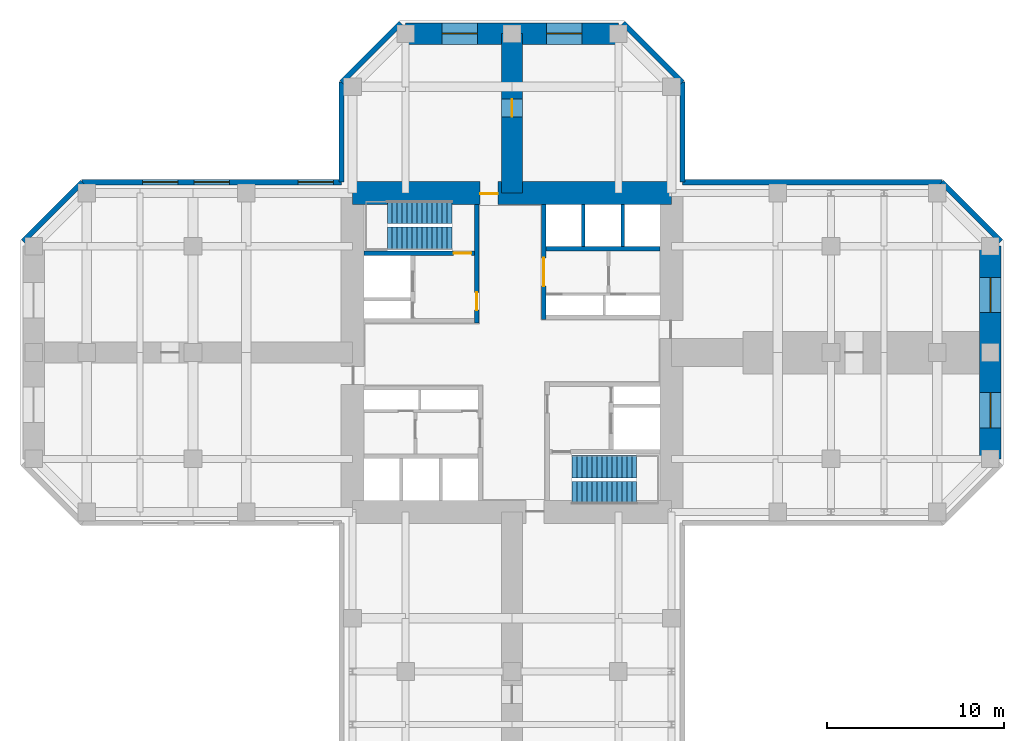
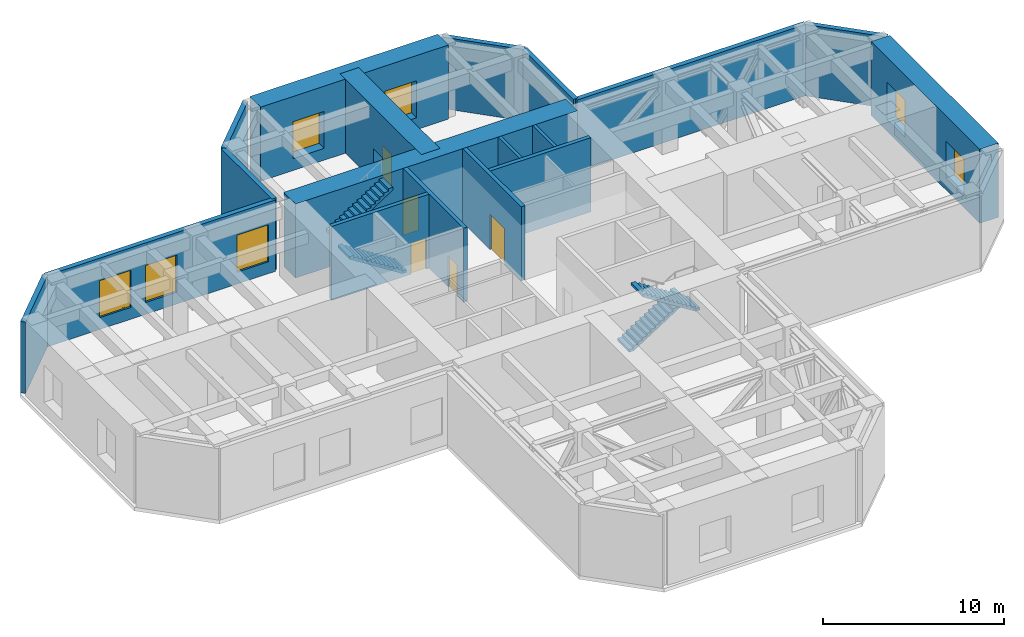
# One storey, part 7 of 8: 18 walls, 7 windows, 5 doors, 4 stair flights, 12 openings, 2 elements without a shape of their own.
"""IFC4 building model written with IfcOpenShell, lengths in metres."""

from ifc_helpers import new_model, si_unit, direction, frame, frame_2d, origin, place, context, subcontext, project, spatial, polyline, rectangle, hollow_rectangle, outline, extrude, material, layer, layer_set, constituent, constituent_set, type_object, element, fill, aggregate, save


model = new_model("IFC4")

# Units and contexts
model_context = context("Model", 3, precision=1e-05, world=origin(), true_north=direction((0.0, 1.0)))
body_context = subcontext(model_context, "Body", "Model", "MODEL_VIEW")
ifc_project = project(units=[si_unit("LENGTHUNIT", "METRE"), si_unit("AREAUNIT", "SQUARE_METRE"), si_unit("VOLUMEUNIT", "CUBIC_METRE"), si_unit("PLANEANGLEUNIT", "RADIAN"), si_unit("MASSUNIT", "GRAM", prefix="KILO")], contexts=[model_context])

# Site, building, storey
site_placement = place(None, origin())
site = spatial("IfcSite", under=ifc_project, at=site_placement, CompositionType="ELEMENT")
building_placement = place(site_placement, origin())
building = spatial("IfcBuilding", under=site, at=building_placement, Name="Torre Cruceta", CompositionType="ELEMENT")
storey_placement = place(building_placement, frame((0.0, 0.0, 164.5)))
storey = spatial("IfcBuildingStorey", under=building, at=storey_placement, Name="L40", CompositionType="ELEMENT", Elevation=164.5)

# Wall, opening, door
ifc_material_1 = material(Name="Concrete G60 (fck 60 MPa)", Category="concrete")
ifc_layer_1 = layer(ifc_material_1, 0.25)
ifc_layer_set_1 = layer_set([ifc_layer_1], Name="Concrete G60 (fck 60 MPa)")
wall_type_1 = type_object("IfcWallType", Name="CORE INNER WALL 250 G60", PredefinedType="SHEAR", material=ifc_layer_set_1)
wall_1_placement = place(storey_placement, frame((1.800048828125, 1.875, 0.0), z_axis=(0.0, 0.0, 1.0), x_axis=(0.0, 1.0, 0.0)))
wall_1 = element("IfcWall", 1, at=wall_1_placement, inside=storey, type_object=wall_type_1, Name="CW4 L40 NE-CU", PredefinedType="SHEAR", context=body_context, shape_type="SweptSolid", body=[
    extrude(rectangle(XDim=6.47509765625, YDim=0.25, at=frame_2d((3.237548828125, 0.0))), origin(), (0.0, 0.0, 1.0), 5.0),
])
opening_1_placement = place(wall_1_placement, frame((1.875, 0.0, 0.0)))
opening_1 = element("IfcOpeningElement", 2, at=opening_1_placement, cuts=wall_1, Name="Opening D15", PredefinedType="OPENING", context=body_context, shape_type="SweptSolid", body=[
    extrude(rectangle(XDim=1.60009765625, YDim=2.39990234375, at=frame_2d((0.800048828125, 1.199951171875))), frame((0.0, 0.135009765625, 0.0), z_axis=(0.0, -1.0, 0.0), x_axis=(1.0, 0.0, 0.0)), (0.0, 0.0, 1.0), 0.27001953125),
])
ifc_material_2 = material(Name="Steel DX51D", Category="steel")
ifc_constituent_1 = constituent(ifc_material_2, Name="Leaf and frame")
ifc_material_3 = material(Name="Polyester powder coating", Category="paint")
ifc_constituent_2 = constituent(ifc_material_3, Name="Finish")
ifc_constituent_set_1 = constituent_set(constituents=[ifc_constituent_1, ifc_constituent_2], Name="Steel fire door")
door_type_1 = type_object("IfcDoorType", Name="CORE ROOM DOUBLE DOOR 1600X2400", OperationType="DOUBLE_DOOR_SINGLE_SWING", PredefinedType="DOOR", material=ifc_constituent_set_1)
door_1_placement = place(opening_1_placement, frame((1.60009765625, 0.0, 0.0), z_axis=(0.0, 0.0, 1.0), x_axis=(-1.0, 0.0, 0.0)))
door_1 = element("IfcDoor", 3, at=door_1_placement, inside=storey, type_object=door_type_1, Name="D15 L40 NE-LOBBY", OperationType="DOUBLE_DOOR_SINGLE_SWING", OverallHeight=2.39990234375, OverallWidth=1.60009765625, PredefinedType="DOOR", context=body_context, shape_type="SweptSolid", body=[
    extrude(rectangle(XDim=1.60009765625, YDim=2.39990234375, at=frame_2d((0.800048828125, 1.199951171875))), frame((0.0, 0.025146484375, 0.0), z_axis=(0.0, -1.0, 0.0), x_axis=(1.0, 0.0, 0.0)), (0.0, 0.0, 1.0), 0.050048828125),
])
fill(opening_1, door_1)

# Wall
wall_2_placement = place(storey_placement, frame((1.925048828125, 5.85009765625, 0.0), z_axis=(0.0, 0.0, 1.0), x_axis=(1.0, 0.0, 0.0)))
element("IfcWall", 4, at=wall_2_placement, inside=storey, type_object=wall_type_1, Name="CW4 L40 NE-LV", PredefinedType="SHEAR", context=body_context, shape_type="SweptSolid", body=[
    extrude(rectangle(XDim=6.425048828125, YDim=0.25, at=frame_2d((3.21240234375, 0.0))), origin(), (0.0, 0.0, 1.0), 5.0),
])

# Wall, opening, door
wall_3_placement = place(storey_placement, frame((-2.0, 1.675048828125, 0.0), z_axis=(0.0, 0.0, 1.0), x_axis=(0.0, 1.0, 0.0)))
wall_3 = element("IfcWall", 5, at=wall_3_placement, inside=storey, type_object=wall_type_1, Name="CW4 L40 NW-CU", PredefinedType="SHEAR", context=body_context, shape_type="SweptSolid", body=[
    extrude(rectangle(XDim=6.675048828125, YDim=0.25, at=frame_2d((3.33740234375, 0.0))), origin(), (0.0, 0.0, 1.0), 5.0),
])
opening_2_placement = place(wall_3_placement, frame((0.72509765625, 0.0, 0.0)))
opening_2 = element("IfcOpeningElement", 6, at=opening_2_placement, cuts=wall_3, Name="Opening D3", PredefinedType="OPENING", context=body_context, shape_type="SweptSolid", body=[
    extrude(rectangle(XDim=1.0, YDim=2.10009765625, at=frame_2d((0.5, 1.050048828125))), frame((0.0, 0.135009765625, 0.0), z_axis=(0.0, -1.0, 0.0), x_axis=(1.0, 0.0, 0.0)), (0.0, 0.0, 1.0), 0.27001953125),
])
ifc_material_4 = material(Name="Steel DX51D", Category="steel")
ifc_constituent_3 = constituent(ifc_material_4, Name="Leaf and frame")
ifc_material_5 = material(Name="Polyester powder coating", Category="paint")
ifc_constituent_4 = constituent(ifc_material_5, Name="Finish")
ifc_constituent_set_2 = constituent_set(constituents=[ifc_constituent_3, ifc_constituent_4], Name="Steel fire door")
door_type_2 = type_object("IfcDoorType", Name="FIRE DOOR 1000X2100", OperationType="SINGLE_SWING_LEFT", PredefinedType="DOOR", material=ifc_constituent_set_2)
door_2_placement = place(opening_2_placement, origin())
door_2 = element("IfcDoor", 7, at=door_2_placement, inside=storey, type_object=door_type_2, Name="D3 L40 NW-LOBBY", OperationType="SINGLE_SWING_LEFT", OverallHeight=2.10009765625, OverallWidth=1.0, PredefinedType="DOOR", context=body_context, shape_type="SweptSolid", body=[
    extrude(rectangle(XDim=1.0, YDim=2.10009765625, at=frame_2d((0.5, 1.050048828125))), frame((0.0, 0.02490234375, 0.0), z_axis=(0.0, -1.0, 0.0), x_axis=(1.0, 0.0, 0.0)), (0.0, 0.0, 1.0), 0.050048828125),
])
fill(opening_2, door_2)

wall_4_placement = place(storey_placement, frame((-2.125, 5.60009765625, 0.0), z_axis=(0.0, 0.0, 1.0), x_axis=(-1.0, 0.0, 0.0)))
wall_4 = element("IfcWall", 8, at=wall_4_placement, inside=storey, type_object=wall_type_1, Name="CW4 L40 NW-SV", PredefinedType="SHEAR", context=body_context, shape_type="SweptSolid", body=[
    extrude(rectangle(XDim=6.22509765625, YDim=0.25, at=frame_2d((3.112548828125, 0.0))), origin(), (0.0, 0.0, 1.0), 5.0),
])
opening_3_placement = place(wall_4_placement, frame((0.175048828125, 0.0, 0.0)))
opening_3 = element("IfcOpeningElement", 9, at=opening_3_placement, cuts=wall_4, Name="Opening D3", PredefinedType="OPENING", context=body_context, shape_type="SweptSolid", body=[
    extrude(rectangle(XDim=1.0, YDim=2.10009765625, at=frame_2d((0.5, 1.050048828125))), frame((0.0, 0.135009765625, 0.0), z_axis=(0.0, -1.0, 0.0), x_axis=(1.0, 0.0, 0.0)), (0.0, 0.0, 1.0), 0.27001953125),
])
door_3_placement = place(opening_3_placement, frame((1.0, 0.0, 0.0), z_axis=(0.0, 0.0, 1.0), x_axis=(-1.0, 0.0, 0.0)))
door_3 = element("IfcDoor", 10, at=door_3_placement, inside=storey, type_object=door_type_2, Name="D3 L40 NW-STAIR", OperationType="SINGLE_SWING_RIGHT", OverallHeight=2.10009765625, OverallWidth=1.0, PredefinedType="DOOR", context=body_context, shape_type="SweptSolid", body=[
    extrude(rectangle(XDim=1.0, YDim=2.10009765625, at=frame_2d((0.5, 1.050048828125))), frame((0.0, 0.025146484375, 0.0), z_axis=(0.0, -1.0, 0.0), x_axis=(1.0, 0.0, 0.0)), (0.0, 0.0, 1.0), 0.050048828125),
])
fill(opening_3, door_3)

ifc_material_6 = material(Name="Concrete G60 (fck 60 MPa)", Category="concrete")
ifc_layer_2 = layer(ifc_material_6, 1.300048828125)
ifc_layer_set_2 = layer_set([ifc_layer_2], Name="Concrete G60 (fck 60 MPa)")
wall_type_2 = type_object("IfcWallType", Name="CORE WALL 1300 G60", PredefinedType="SHEAR", material=ifc_layer_set_2)
wall_5_placement = place(storey_placement, frame((9.0, 9.0, 0.0), z_axis=(0.0, 0.0, 1.0), x_axis=(-1.0, 0.0, 0.0)))
wall_5 = element("IfcWall", 11, at=wall_5_placement, inside=storey, type_object=wall_type_2, Name="CW1 L40 CW-N", PredefinedType="SHEAR", context=body_context, shape_type="SweptSolid", body=[
    extrude(rectangle(XDim=18.0, YDim=1.300048828125, at=frame_2d((9.0, 0.0))), origin(), (0.0, 0.0, 1.0), 5.0),
])
opening_4_placement = place(wall_5_placement, frame((9.800048828125, 0.0, 0.0)))
opening_4 = element("IfcOpeningElement", 12, at=opening_4_placement, cuts=wall_5, Name="Opening D4", PredefinedType="OPENING", context=body_context, shape_type="SweptSolid", body=[
    extrude(rectangle(XDim=1.0, YDim=2.39990234375, at=frame_2d((0.5, 1.199951171875))), frame((0.0, 0.659912109375, 0.0), z_axis=(0.0, -1.0, 0.0), x_axis=(1.0, 0.0, 0.0)), (0.0, 0.0, 1.0), 1.320068359375),
])
ifc_material_7 = material(Name="Steel DX51D", Category="steel")
ifc_constituent_5 = constituent(ifc_material_7, Name="Leaf and frame")
ifc_material_8 = material(Name="Polyester powder coating", Category="paint")
ifc_constituent_6 = constituent(ifc_material_8, Name="Finish")
ifc_constituent_set_3 = constituent_set(constituents=[ifc_constituent_5, ifc_constituent_6], Name="Steel fire door")
door_type_3 = type_object("IfcDoorType", Name="CORE ARM DOOR 1000X2400", OperationType="SINGLE_SWING_RIGHT", PredefinedType="DOOR", material=ifc_constituent_set_3)
door_4_placement = place(opening_4_placement, frame((1.0, 0.0, 0.0), z_axis=(0.0, 0.0, 1.0), x_axis=(-1.0, 0.0, 0.0)))
door_4 = element("IfcDoor", 13, at=door_4_placement, inside=storey, type_object=door_type_3, Name="D4 L40 CW-N", OperationType="SINGLE_SWING_RIGHT", OverallHeight=2.39990234375, OverallWidth=1.0, PredefinedType="DOOR", context=body_context, shape_type="SweptSolid", body=[
    extrude(rectangle(XDim=1.0, YDim=2.39990234375, at=frame_2d((0.5, 1.199951171875))), frame((0.0, -0.005126953125, 0.0), z_axis=(0.0, -1.0, 0.0), x_axis=(1.0, 0.0, 0.0)), (0.0, 0.0, 1.0), 0.050048828125),
])
fill(opening_4, door_4)

# Walls
ifc_material_9 = material(Name="Concrete G30 (fck 30 MPa)", Category="concrete")
ifc_layer_3 = layer(ifc_material_9, 0.300048828125)
ifc_layer_set_3 = layer_set([ifc_layer_3], Name="Concrete G30 (fck 30 MPa)")
wall_type_3 = type_object("IfcWallType", Name="EXPOSED CONCRETE FACADE WALL 300", PredefinedType="SOLIDWALL", material=ifc_layer_set_3)
wall_6_placement = place(storey_placement, frame((27.60009765625, 6.27685546875, 0.0), z_axis=(0.0, 0.0, 1.0), x_axis=(-0.707106781187, 0.707106781187, 0.0)))
element("IfcWall", 14, at=wall_6_placement, inside=storey, type_object=wall_type_3, Name="EW1 facade wall L40 E chamfer 03", PredefinedType="SOLIDWALL", context=body_context, shape_type="SweptSolid", body=[
    extrude(rectangle(XDim=4.72802734375, YDim=0.300048828125, at=frame_2d((2.364013671875, 0.0))), origin(), (0.0, 0.0, 1.0), 4.820068359375),
])
wall_7_placement = place(storey_placement, frame((24.2568359375, 9.6201171875, 0.0), z_axis=(0.0, 0.0, 1.0), x_axis=(-1.0, 0.0, 0.0)))
element("IfcWall", 15, at=wall_7_placement, inside=storey, type_object=wall_type_3, Name="EW1 facade wall L40 E side 04", PredefinedType="SOLIDWALL", context=body_context, shape_type="SweptSolid", body=[
    extrude(rectangle(XDim=14.63671875, YDim=0.300048828125, at=frame_2d((7.318359375, 0.0))), origin(), (0.0, 0.0, 1.0), 4.820068359375),
])
wall_8_placement = place(storey_placement, frame((9.6201171875, 9.6201171875, 0.0), z_axis=(0.0, 0.0, 1.0), x_axis=(0.0, 1.0, 0.0)))
element("IfcWall", 16, at=wall_8_placement, inside=storey, type_object=wall_type_3, Name="EW1 facade wall L40 N side 05", PredefinedType="SOLIDWALL", context=body_context, shape_type="SweptSolid", body=[
    extrude(rectangle(XDim=5.63671875, YDim=0.300048828125, at=frame_2d((2.818359375, 0.0))), origin(), (0.0, 0.0, 1.0), 4.820068359375),
])
for number, where, z_axis, x_axis, name in (
    (17, (9.6201171875, 15.2568359375, 0.0), (0.0, 0.0, 1.0), (-0.707106781187, 0.707106781187, 0.0), "EW1 facade wall L40 N chamfer 06"),
    (18, (-6.27685546875, 18.60009765625, 0.0), (0.0, 0.0, 1.0), (-0.707106781187, -0.707106781187, 0.0), "EW1 facade wall L40 N chamfer 08"),
):
    element("IfcWall", number, at=place(storey_placement, frame(where, z_axis=z_axis, x_axis=x_axis)), inside=storey, type_object=wall_type_3, Name=name, PredefinedType="SOLIDWALL", context=body_context, shape_type="SweptSolid", body=[
        extrude(rectangle(XDim=4.72802734375, YDim=0.300048828125, at=frame_2d((2.364013671875, 0.0))), origin(), (0.0, 0.0, 1.0), 4.820068359375),
    ])
wall_9_placement = place(storey_placement, frame((-9.6201171875, 15.2568359375, 0.0), z_axis=(0.0, 0.0, 1.0), x_axis=(0.0, -1.0, 0.0)))
element("IfcWall", 19, at=wall_9_placement, inside=storey, type_object=wall_type_3, Name="EW1 facade wall L40 N side 09", PredefinedType="SOLIDWALL", context=body_context, shape_type="SweptSolid", body=[
    extrude(rectangle(XDim=5.63671875, YDim=0.300048828125, at=frame_2d((2.818359375, 0.0))), origin(), (0.0, 0.0, 1.0), 4.820068359375),
])

# Wall, openings, windows
wall_10_placement = place(storey_placement, frame((-9.6201171875, 9.6201171875, 0.0), z_axis=(0.0, 0.0, 1.0), x_axis=(-1.0, 0.0, 0.0)))
wall_10 = element("IfcWall", 20, at=wall_10_placement, inside=storey, type_object=wall_type_3, Name="EW1 facade wall L40 W side 10", PredefinedType="SOLIDWALL", context=body_context, shape_type="SweptSolid", body=[
    extrude(rectangle(XDim=14.63671875, YDim=0.300048828125, at=frame_2d((7.318359375, 0.0))), origin(), (0.0, 0.0, 1.0), 4.820068359375),
])
opening_5_placement = place(wall_10_placement, frame((0.463623046875, 0.0, 0.800048828125)))
opening_5 = element("IfcOpeningElement", 21, at=opening_5_placement, cuts=wall_10, Name="Opening WN3", PredefinedType="OPENING", context=body_context, shape_type="SweptSolid", body=[
    extrude(rectangle(XDim=2.0, YDim=2.5, at=frame_2d((1.0, 1.25))), frame((0.0, 0.159912109375, 0.0), z_axis=(0.0, -1.0, 0.0), x_axis=(1.0, 0.0, 0.0)), (0.0, 0.0, 1.0), 0.320068359375),
])
opening_6_placement = place(wall_10_placement, frame((6.318359375, 0.0, 0.800048828125)))
opening_6 = element("IfcOpeningElement", 22, at=opening_6_placement, cuts=wall_10, Name="Opening WN3", PredefinedType="OPENING", context=body_context, shape_type="SweptSolid", body=[
    extrude(rectangle(XDim=2.0, YDim=2.5, at=frame_2d((1.0, 1.25))), frame((0.0, 0.159912109375, 0.0), z_axis=(0.0, -1.0, 0.0), x_axis=(1.0, 0.0, 0.0)), (0.0, 0.0, 1.0), 0.320068359375),
])
opening_7_placement = place(wall_10_placement, frame((9.245849609375, 0.0, 0.800048828125)))
opening_7 = element("IfcOpeningElement", 23, at=opening_7_placement, cuts=wall_10, Name="Opening WN3", PredefinedType="OPENING", context=body_context, shape_type="SweptSolid", body=[
    extrude(rectangle(XDim=2.0, YDim=2.5, at=frame_2d((1.0, 1.25))), frame((0.0, 0.159912109375, 0.0), z_axis=(0.0, -1.0, 0.0), x_axis=(1.0, 0.0, 0.0)), (0.0, 0.0, 1.0), 0.320068359375),
])
ifc_material_10 = material(Name="Aluminium window frame", Category="aluminium")
ifc_constituent_7 = constituent(ifc_material_10, Name="Frame")
ifc_material_11 = material(Name="Laminated insulating glass unit, low-iron clear", Category="glass")
ifc_constituent_8 = constituent(ifc_material_11, Name="Glazing")
ifc_constituent_set_4 = constituent_set(constituents=[ifc_constituent_7, ifc_constituent_8], Name="Aluminium window")
window_type = type_object("IfcWindowType", Name="PLANT LOUVRE 2000X2500", PartitioningType="SINGLE_PANEL", PredefinedType="WINDOW", material=ifc_constituent_set_4)
window_1_placement = place(opening_5_placement, origin())
window_1 = element("IfcWindow", 24, at=window_1_placement, inside=storey, type_object=window_type, Name="WN3 L40 W 1", OverallHeight=2.5, OverallWidth=2.0, PartitioningType="SINGLE_PANEL", PredefinedType="WINDOW", context=body_context, shape_type="SweptSolid", body=[
    extrude(hollow_rectangle(XDim=2.0, YDim=2.5, WallThickness=0.06005859375, at=frame_2d((1.0, 1.25))), frame((0.0, 0.030029296875, 0.0), z_axis=(0.0, -1.0, 0.0), x_axis=(1.0, 0.0, 0.0)), (0.0, 0.0, 1.0), 0.06005859375),
    extrude(rectangle(XDim=1.87890625, YDim=2.37890625, at=frame_2d((1.0, 1.25))), frame((0.0, 0.030029296875, 0.0), z_axis=(0.0, -1.0, 0.0), x_axis=(1.0, 0.0, 0.0)), (0.0, 0.0, 1.0), 0.06005859375),
])
fill(opening_5, window_1)
window_2_placement = place(opening_6_placement, origin())
window_2 = element("IfcWindow", 25, at=window_2_placement, inside=storey, type_object=window_type, Name="WN3 L40 W 3", OverallHeight=2.5, OverallWidth=2.0, PartitioningType="SINGLE_PANEL", PredefinedType="WINDOW", context=body_context, shape_type="SweptSolid", body=[
    extrude(hollow_rectangle(XDim=2.0, YDim=2.5, WallThickness=0.06005859375, at=frame_2d((1.0, 1.25))), frame((0.0, 0.030029296875, 0.0), z_axis=(0.0, -1.0, 0.0), x_axis=(1.0, 0.0, 0.0)), (0.0, 0.0, 1.0), 0.06005859375),
    extrude(rectangle(XDim=1.87890625, YDim=2.37890625, at=frame_2d((1.0, 1.25))), frame((0.0, 0.030029296875, 0.0), z_axis=(0.0, -1.0, 0.0), x_axis=(1.0, 0.0, 0.0)), (0.0, 0.0, 1.0), 0.06005859375),
])
fill(opening_6, window_2)
window_3_placement = place(opening_7_placement, origin())
window_3 = element("IfcWindow", 26, at=window_3_placement, inside=storey, type_object=window_type, Name="WN3 L40 W 4", OverallHeight=2.5, OverallWidth=2.0, PartitioningType="SINGLE_PANEL", PredefinedType="WINDOW", context=body_context, shape_type="SweptSolid", body=[
    extrude(hollow_rectangle(XDim=2.0, YDim=2.5, WallThickness=0.06005859375, at=frame_2d((1.0, 1.25))), frame((0.0, 0.030029296875, 0.0), z_axis=(0.0, -1.0, 0.0), x_axis=(1.0, 0.0, 0.0)), (0.0, 0.0, 1.0), 0.06005859375),
    extrude(rectangle(XDim=1.87890625, YDim=2.37890625, at=frame_2d((1.0, 1.25))), frame((0.0, 0.030029296875, 0.0), z_axis=(0.0, -1.0, 0.0), x_axis=(1.0, 0.0, 0.0)), (0.0, 0.0, 1.0), 0.06005859375),
])
fill(opening_7, window_3)

# Walls
wall_11_placement = place(storey_placement, frame((-24.2568359375, 9.6201171875, 0.0), z_axis=(0.0, 0.0, 1.0), x_axis=(-0.707106781187, -0.707106781187, 0.0)))
element("IfcWall", 27, at=wall_11_placement, inside=storey, type_object=wall_type_3, Name="EW1 facade wall L40 W chamfer 11", PredefinedType="SOLIDWALL", context=body_context, shape_type="SweptSolid", body=[
    extrude(rectangle(XDim=4.72802734375, YDim=0.300048828125, at=frame_2d((2.364013671875, 0.0))), origin(), (0.0, 0.0, 1.0), 4.820068359375),
])
ifc_material_12 = material(Name="Concrete G35 (fck 35 MPa)", Category="concrete")
ifc_layer_4 = layer(ifc_material_12, 0.199951171875)
ifc_layer_set_4 = layer_set([ifc_layer_4], Name="Concrete G35 (fck 35 MPa)")
wall_type_4 = type_object("IfcWallType", Name="LIFT SHAFT WALL 200", PredefinedType="PARTITIONING", material=ifc_layer_set_4)
for number, where, z_axis, x_axis, name in (
    (28, (4.033447265625, 5.97509765625, 0.0), (0.0, 0.0, 1.0), (0.0, 1.0, 0.0), "SW1 L40 NE-LS1"),
    (29, (6.24169921875, 5.97509765625, 0.0), (0.0, 0.0, 1.0), (0.0, 1.0, 0.0), "SW1 L40 NE-LS2"),
):
    element("IfcWall", number, at=place(storey_placement, frame(where, z_axis=z_axis, x_axis=x_axis)), inside=storey, type_object=wall_type_4, Name=name, PredefinedType="PARTITIONING", context=body_context, shape_type="SweptSolid", body=[
        extrude(rectangle(XDim=2.375, YDim=0.199951171875, at=frame_2d((1.1875, 0.0))), origin(), (0.0, 0.0, 1.0), 5.0),
    ])

# Wall, openings, windows
ifc_material_13 = material(Name="Concrete G60 (fck 60 MPa)", Category="concrete")
ifc_layer_5 = layer(ifc_material_13, 1.199951171875)
ifc_layer_set_5 = layer_set([ifc_layer_5], Name="Concrete G60 (fck 60 MPa)")
wall_type_5 = type_object("IfcWallType", Name="NOSE WALL 1200 G60", PredefinedType="SHEAR", material=ifc_layer_set_5)
wall_12_placement = place(storey_placement, frame((6.0, 18.0, 0.0), z_axis=(0.0, 0.0, 1.0), x_axis=(-1.0, 0.0, 0.0)))
wall_12 = element("IfcWall", 30, at=wall_12_placement, inside=storey, type_object=wall_type_5, Name="NW1 nose wall L40 N", PredefinedType="SHEAR", context=body_context, shape_type="SweptSolid", body=[
    extrude(rectangle(XDim=12.0, YDim=1.199951171875, at=frame_2d((6.0, 0.0))), origin(), (0.0, 0.0, 1.0), 5.0),
])
opening_8_placement = place(wall_12_placement, frame((2.050048828125, 0.0, 0.800048828125)))
opening_8 = element("IfcOpeningElement", 31, at=opening_8_placement, cuts=wall_12, Name="Opening WN3", PredefinedType="OPENING", context=body_context, shape_type="SweptSolid", body=[
    extrude(rectangle(XDim=2.0, YDim=2.5, at=frame_2d((1.0, 1.25))), frame((0.0, 0.60986328125, 0.0), z_axis=(0.0, -1.0, 0.0), x_axis=(1.0, 0.0, 0.0)), (0.0, 0.0, 1.0), 1.219970703125),
])
opening_9_placement = place(wall_12_placement, frame((7.949951171875, 0.0, 0.800048828125)))
opening_9 = element("IfcOpeningElement", 32, at=opening_9_placement, cuts=wall_12, Name="Opening WN3", PredefinedType="OPENING", context=body_context, shape_type="SweptSolid", body=[
    extrude(rectangle(XDim=2.0, YDim=2.5, at=frame_2d((1.0, 1.25))), frame((0.0, 0.60986328125, 0.0), z_axis=(0.0, -1.0, 0.0), x_axis=(1.0, 0.0, 0.0)), (0.0, 0.0, 1.0), 1.219970703125),
])
window_4_placement = place(opening_8_placement, origin())
window_4 = element("IfcWindow", 33, at=window_4_placement, inside=storey, type_object=window_type, Name="WN3 L40 N 1", OverallHeight=2.5, OverallWidth=2.0, PartitioningType="SINGLE_PANEL", PredefinedType="WINDOW", context=body_context, shape_type="SweptSolid", body=[
    extrude(hollow_rectangle(XDim=2.0, YDim=2.5, WallThickness=0.06005859375, at=frame_2d((1.0, 1.25))), frame((0.0, 0.030029296875, 0.0), z_axis=(0.0, -1.0, 0.0), x_axis=(1.0, 0.0, 0.0)), (0.0, 0.0, 1.0), 0.06005859375),
    extrude(rectangle(XDim=1.87890625, YDim=2.37890625, at=frame_2d((1.0, 1.25))), frame((0.0, 0.030029296875, 0.0), z_axis=(0.0, -1.0, 0.0), x_axis=(1.0, 0.0, 0.0)), (0.0, 0.0, 1.0), 0.06005859375),
])
fill(opening_8, window_4)
window_5_placement = place(opening_9_placement, origin())
window_5 = element("IfcWindow", 34, at=window_5_placement, inside=storey, type_object=window_type, Name="WN3 L40 N 2", OverallHeight=2.5, OverallWidth=2.0, PartitioningType="SINGLE_PANEL", PredefinedType="WINDOW", context=body_context, shape_type="SweptSolid", body=[
    extrude(hollow_rectangle(XDim=2.0, YDim=2.5, WallThickness=0.06005859375, at=frame_2d((1.0, 1.25))), frame((0.0, 0.030029296875, 0.0), z_axis=(0.0, -1.0, 0.0), x_axis=(1.0, 0.0, 0.0)), (0.0, 0.0, 1.0), 0.06005859375),
    extrude(rectangle(XDim=1.87890625, YDim=2.37890625, at=frame_2d((1.0, 1.25))), frame((0.0, 0.030029296875, 0.0), z_axis=(0.0, -1.0, 0.0), x_axis=(1.0, 0.0, 0.0)), (0.0, 0.0, 1.0), 0.06005859375),
])
fill(opening_9, window_5)

wall_13_placement = place(storey_placement, frame((27.0, -6.0, 0.0), z_axis=(0.0, 0.0, 1.0), x_axis=(0.0, 1.0, 0.0)))
wall_13 = element("IfcWall", 35, at=wall_13_placement, inside=storey, type_object=wall_type_5, Name="NW1 nose wall L40 E", PredefinedType="SHEAR", context=body_context, shape_type="SweptSolid", body=[
    extrude(rectangle(XDim=12.0, YDim=1.199951171875, at=frame_2d((6.0, 0.0))), origin(), (0.0, 0.0, 1.0), 5.0),
])
opening_10_placement = place(wall_13_placement, frame((1.75, 0.0, 0.800048828125)))
opening_10 = element("IfcOpeningElement", 36, at=opening_10_placement, cuts=wall_13, Name="Opening WN3", PredefinedType="OPENING", context=body_context, shape_type="SweptSolid", body=[
    extrude(rectangle(XDim=2.0, YDim=2.5, at=frame_2d((1.0, 1.25))), frame((0.0, 0.60986328125, 0.0), z_axis=(0.0, -1.0, 0.0), x_axis=(1.0, 0.0, 0.0)), (0.0, 0.0, 1.0), 1.219970703125),
])
opening_11_placement = place(wall_13_placement, frame((8.25, 0.0, 0.800048828125)))
opening_11 = element("IfcOpeningElement", 37, at=opening_11_placement, cuts=wall_13, Name="Opening WN3", PredefinedType="OPENING", context=body_context, shape_type="SweptSolid", body=[
    extrude(rectangle(XDim=2.0, YDim=2.5, at=frame_2d((1.0, 1.25))), frame((0.0, 0.60986328125, 0.0), z_axis=(0.0, -1.0, 0.0), x_axis=(1.0, 0.0, 0.0)), (0.0, 0.0, 1.0), 1.219970703125),
])
window_6_placement = place(opening_10_placement, origin())
window_6 = element("IfcWindow", 38, at=window_6_placement, inside=storey, type_object=window_type, Name="WN3 L40 E 1", OverallHeight=2.5, OverallWidth=2.0, PartitioningType="SINGLE_PANEL", PredefinedType="WINDOW", context=body_context, shape_type="SweptSolid", body=[
    extrude(hollow_rectangle(XDim=2.0, YDim=2.5, WallThickness=0.06005859375, at=frame_2d((1.0, 1.25))), frame((0.0, 0.030029296875, 0.0), z_axis=(0.0, -1.0, 0.0), x_axis=(1.0, 0.0, 0.0)), (0.0, 0.0, 1.0), 0.06005859375),
    extrude(rectangle(XDim=1.87890625, YDim=2.37890625, at=frame_2d((1.0, 1.25))), frame((0.0, 0.030029296875, 0.0), z_axis=(0.0, -1.0, 0.0), x_axis=(1.0, 0.0, 0.0)), (0.0, 0.0, 1.0), 0.06005859375),
])
fill(opening_10, window_6)
window_7_placement = place(opening_11_placement, origin())
window_7 = element("IfcWindow", 39, at=window_7_placement, inside=storey, type_object=window_type, Name="WN3 L40 E 2", OverallHeight=2.5, OverallWidth=2.0, PartitioningType="SINGLE_PANEL", PredefinedType="WINDOW", context=body_context, shape_type="SweptSolid", body=[
    extrude(hollow_rectangle(XDim=2.0, YDim=2.5, WallThickness=0.06005859375, at=frame_2d((1.0, 1.25))), frame((0.0, 0.030029296875, 0.0), z_axis=(0.0, -1.0, 0.0), x_axis=(1.0, 0.0, 0.0)), (0.0, 0.0, 1.0), 0.06005859375),
    extrude(rectangle(XDim=1.87890625, YDim=2.37890625, at=frame_2d((1.0, 1.25))), frame((0.0, 0.030029296875, 0.0), z_axis=(0.0, -1.0, 0.0), x_axis=(1.0, 0.0, 0.0)), (0.0, 0.0, 1.0), 0.06005859375),
])
fill(opening_11, window_7)

# Wall, opening, door
ifc_material_14 = material(Name="Concrete G60 (fck 60 MPa)", Category="concrete")
ifc_layer_6 = layer(ifc_material_14, 1.199951171875)
ifc_layer_set_6 = layer_set([ifc_layer_6], Name="Concrete G60 (fck 60 MPa)")
wall_type_6 = type_object("IfcWallType", Name="SPINE WALL 1200 G60", PredefinedType="SHEAR", material=ifc_layer_set_6)
wall_14_placement = place(storey_placement, frame((0.0, 9.0, 0.0), z_axis=(0.0, 0.0, 1.0), x_axis=(0.0, 1.0, 0.0)))
wall_14 = element("IfcWall", 40, at=wall_14_placement, inside=storey, type_object=wall_type_6, Name="SW3 spine wall L40 N", PredefinedType="SHEAR", context=body_context, shape_type="SweptSolid", body=[
    extrude(rectangle(XDim=9.0, YDim=1.199951171875, at=frame_2d((4.5, 0.0))), origin(), (0.0, 0.0, 1.0), 5.0),
])
opening_12_placement = place(wall_14_placement, frame((4.300048828125, 0.0, 0.0)))
opening_12 = element("IfcOpeningElement", 41, at=opening_12_placement, cuts=wall_14, Name="Opening D14", PredefinedType="OPENING", context=body_context, shape_type="SweptSolid", body=[
    extrude(rectangle(XDim=1.0, YDim=2.199951171875, at=frame_2d((0.5, 1.10009765625))), frame((0.0, 0.60986328125, 0.0), z_axis=(0.0, -1.0, 0.0), x_axis=(1.0, 0.0, 0.0)), (0.0, 0.0, 1.0), 1.219970703125),
])
ifc_material_15 = material(Name="Steel DX51D", Category="steel")
ifc_constituent_9 = constituent(ifc_material_15, Name="Leaf and frame")
ifc_material_16 = material(Name="Polyester powder coating", Category="paint")
ifc_constituent_10 = constituent(ifc_material_16, Name="Finish")
ifc_material_17 = material(Name="Fire-resisting glass", Category="glass")
ifc_constituent_11 = constituent(ifc_material_17, Name="Vision panel")
ifc_constituent_set_5 = constituent_set(constituents=[ifc_constituent_9, ifc_constituent_10, ifc_constituent_11], Name="Steel fire door with vision panel")
door_type_4 = type_object("IfcDoorType", Name="FIRE DOOR VISION PANEL 1000X2200", OperationType="SINGLE_SWING_RIGHT", PredefinedType="DOOR", material=ifc_constituent_set_5)
door_5_placement = place(opening_12_placement, frame((1.0, 0.0, 0.0), z_axis=(0.0, 0.0, 1.0), x_axis=(-1.0, 0.0, 0.0)))
door_5 = element("IfcDoor", 42, at=door_5_placement, inside=storey, type_object=door_type_4, Name="D14 L40-N-SP1", OperationType="SINGLE_SWING_LEFT", OverallHeight=2.199951171875, OverallWidth=1.0, PredefinedType="DOOR", context=body_context, shape_type="SweptSolid", body=[
    extrude(rectangle(XDim=1.0, YDim=2.199951171875, at=frame_2d((0.5, 1.10009765625))), frame((0.0, 0.025146484375, 0.0), z_axis=(0.0, -1.0, 0.0), x_axis=(1.0, 0.0, 0.0)), (0.0, 0.0, 1.0), 0.050048828125),
])
fill(opening_12, door_5)

# Stair, stair flights
ifc_material_18 = material(Name="Concrete G30 (fck 30 MPa)", Category="concrete")
stair_type = type_object("IfcStairType", Name="STAIR HALF-TURN 1300", PredefinedType="HALF_TURN_STAIR", material=ifc_material_18)
stair_1_placement = place(storey_placement, origin())
stair_1 = element("IfcStair", 43, at=stair_1_placement, inside=storey, type_object=stair_type, Name="Stair ST1 L40", PredefinedType="HALF_TURN_STAIR")
ifc_material_19 = material(Name="Concrete G30 (fck 30 MPa)", Category="concrete")
stair_flight_type = type_object("IfcStairFlightType", Name="STAIR FLIGHT 1300", PredefinedType="STRAIGHT", material=ifc_material_19)
stair_flight_1_placement = place(storey_placement, frame((-3.39990234375, 6.425048828125, 0.0), z_axis=(0.0, 0.0, 1.0), x_axis=(-1.0, 0.0, 0.0)))
stair_flight_1 = element("IfcStairFlight", 44, at=stair_flight_1_placement, type_object=stair_flight_type, Name="ST1 flight 1", NumberOfRisers=14, NumberOfTreads=13, PredefinedType="STRAIGHT", RiserHeight=0.178571429, TreadLength=0.28, context=body_context, shape_type="SweptSolid", body=[
    extrude(outline(polyline([(0.0, 0.0), (0.0, 0.178466796875), (0.280029296875, 0.178466796875), (0.280029296875, 0.357177734375), (0.56005859375, 0.357177734375), (0.56005859375, 0.53564453125), (0.840087890625, 0.53564453125), (0.840087890625, 0.71435546875), (1.1201171875, 0.71435546875), (1.1201171875, 0.892822265625), (1.39990234375, 0.892822265625), (1.39990234375, 1.071533203125), (1.679931640625, 1.071533203125), (1.679931640625, 1.25), (1.9599609375, 1.25), (1.9599609375, 1.428466796875), (2.239990234375, 1.428466796875), (2.239990234375, 1.607177734375), (2.52001953125, 1.607177734375), (2.52001953125, 1.78564453125), (2.800048828125, 1.78564453125), (2.800048828125, 1.96435546875), (3.080078125, 1.96435546875), (3.080078125, 2.142822265625), (3.360107421875, 2.142822265625), (3.360107421875, 2.321533203125), (3.639892578125, 2.321533203125), (3.639892578125, 2.5), (3.639892578125, 2.1435546875), (0.27880859375, 0.0), (0.0, 0.0)])), frame((0.0, 0.64990234375, 0.0), z_axis=(0.0, -1.0, 0.0), x_axis=(1.0, 0.0, 0.0)), (0.0, 0.0, 1.0), 1.300048828125),
])
stair_flight_2_placement = place(storey_placement, frame((-7.0400390625, 7.925048828125, 2.5), z_axis=(0.0, 0.0, 1.0), x_axis=(1.0, 0.0, 0.0)))
stair_flight_2 = element("IfcStairFlight", 45, at=stair_flight_2_placement, type_object=stair_flight_type, Name="ST1 flight 2", NumberOfRisers=14, NumberOfTreads=13, PredefinedType="STRAIGHT", RiserHeight=0.178571429, TreadLength=0.28, context=body_context, shape_type="SweptSolid", body=[
    extrude(outline(polyline([(0.0, 0.0), (0.0, 0.178466796875), (0.280029296875, 0.178466796875), (0.280029296875, 0.357177734375), (0.56005859375, 0.357177734375), (0.56005859375, 0.53564453125), (0.840087890625, 0.53564453125), (0.840087890625, 0.71435546875), (1.1201171875, 0.71435546875), (1.1201171875, 0.892822265625), (1.39990234375, 0.892822265625), (1.39990234375, 1.071533203125), (1.679931640625, 1.071533203125), (1.679931640625, 1.25), (1.9599609375, 1.25), (1.9599609375, 1.428466796875), (2.239990234375, 1.428466796875), (2.239990234375, 1.607177734375), (2.52001953125, 1.607177734375), (2.52001953125, 1.78564453125), (2.800048828125, 1.78564453125), (2.800048828125, 1.96435546875), (3.080078125, 1.96435546875), (3.080078125, 2.142822265625), (3.360107421875, 2.142822265625), (3.360107421875, 2.321533203125), (3.639892578125, 2.321533203125), (3.639892578125, 2.5), (3.639892578125, 2.1435546875), (0.27880859375, 0.0), (0.0, 0.0)])), frame((0.0, 0.64990234375, 0.0), z_axis=(0.0, -1.0, 0.0), x_axis=(1.0, 0.0, 0.0)), (0.0, 0.0, 1.0), 1.300048828125),
])
aggregate(stair_1, [stair_flight_1, stair_flight_2])

stair_2_placement = place(storey_placement, origin())
stair_2 = element("IfcStair", 46, at=stair_2_placement, inside=storey, type_object=stair_type, Name="Stair ST2 L40", PredefinedType="HALF_TURN_STAIR")
stair_flight_3_placement = place(storey_placement, frame((3.39990234375, -6.425048828125, 0.0), z_axis=(0.0, 0.0, 1.0), x_axis=(1.0, 0.0, 0.0)))
stair_flight_3 = element("IfcStairFlight", 47, at=stair_flight_3_placement, type_object=stair_flight_type, Name="ST2 flight 1", NumberOfRisers=14, NumberOfTreads=13, PredefinedType="STRAIGHT", RiserHeight=0.178571429, TreadLength=0.28, context=body_context, shape_type="SweptSolid", body=[
    extrude(outline(polyline([(0.0, 0.0), (0.0, 0.178466796875), (0.280029296875, 0.178466796875), (0.280029296875, 0.357177734375), (0.56005859375, 0.357177734375), (0.56005859375, 0.53564453125), (0.840087890625, 0.53564453125), (0.840087890625, 0.71435546875), (1.1201171875, 0.71435546875), (1.1201171875, 0.892822265625), (1.39990234375, 0.892822265625), (1.39990234375, 1.071533203125), (1.679931640625, 1.071533203125), (1.679931640625, 1.25), (1.9599609375, 1.25), (1.9599609375, 1.428466796875), (2.239990234375, 1.428466796875), (2.239990234375, 1.607177734375), (2.52001953125, 1.607177734375), (2.52001953125, 1.78564453125), (2.800048828125, 1.78564453125), (2.800048828125, 1.96435546875), (3.080078125, 1.96435546875), (3.080078125, 2.142822265625), (3.360107421875, 2.142822265625), (3.360107421875, 2.321533203125), (3.639892578125, 2.321533203125), (3.639892578125, 2.5), (3.639892578125, 2.1435546875), (0.27880859375, 0.0), (0.0, 0.0)])), frame((0.0, 0.64990234375, 0.0), z_axis=(0.0, -1.0, 0.0), x_axis=(1.0, 0.0, 0.0)), (0.0, 0.0, 1.0), 1.300048828125),
])
stair_flight_4_placement = place(storey_placement, frame((7.0400390625, -7.925048828125, 2.5), z_axis=(0.0, 0.0, 1.0), x_axis=(-1.0, 0.0, 0.0)))
stair_flight_4 = element("IfcStairFlight", 48, at=stair_flight_4_placement, type_object=stair_flight_type, Name="ST2 flight 2", NumberOfRisers=14, NumberOfTreads=13, PredefinedType="STRAIGHT", RiserHeight=0.178571429, TreadLength=0.28, context=body_context, shape_type="SweptSolid", body=[
    extrude(outline(polyline([(0.0, 0.0), (0.0, 0.178466796875), (0.280029296875, 0.178466796875), (0.280029296875, 0.357177734375), (0.56005859375, 0.357177734375), (0.56005859375, 0.53564453125), (0.840087890625, 0.53564453125), (0.840087890625, 0.71435546875), (1.1201171875, 0.71435546875), (1.1201171875, 0.892822265625), (1.39990234375, 0.892822265625), (1.39990234375, 1.071533203125), (1.679931640625, 1.071533203125), (1.679931640625, 1.25), (1.9599609375, 1.25), (1.9599609375, 1.428466796875), (2.239990234375, 1.428466796875), (2.239990234375, 1.607177734375), (2.52001953125, 1.607177734375), (2.52001953125, 1.78564453125), (2.800048828125, 1.78564453125), (2.800048828125, 1.96435546875), (3.080078125, 1.96435546875), (3.080078125, 2.142822265625), (3.360107421875, 2.142822265625), (3.360107421875, 2.321533203125), (3.639892578125, 2.321533203125), (3.639892578125, 2.5), (3.639892578125, 2.1435546875), (0.27880859375, 0.0), (0.0, 0.0)])), frame((0.0, 0.64990234375, 0.0), z_axis=(0.0, -1.0, 0.0), x_axis=(1.0, 0.0, 0.0)), (0.0, 0.0, 1.0), 1.300048828125),
])
aggregate(stair_2, [stair_flight_3, stair_flight_4])

save(model, "model.ifc")
